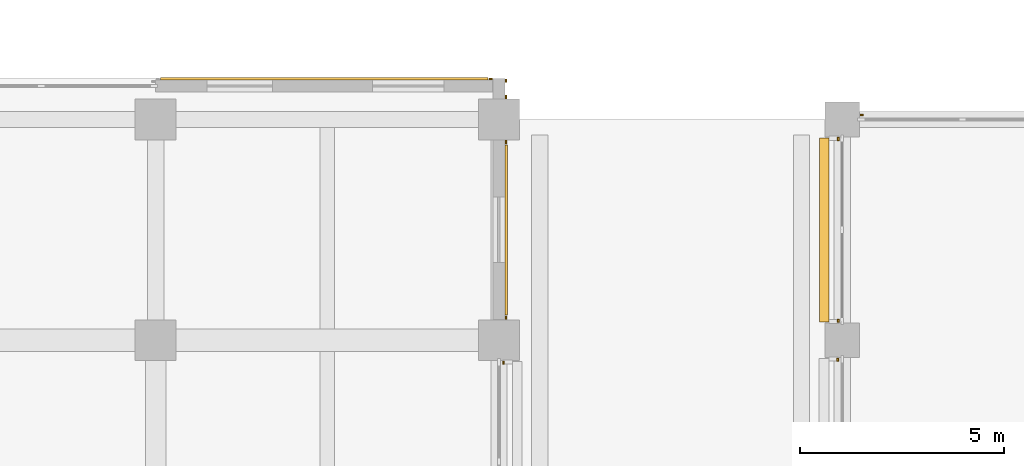
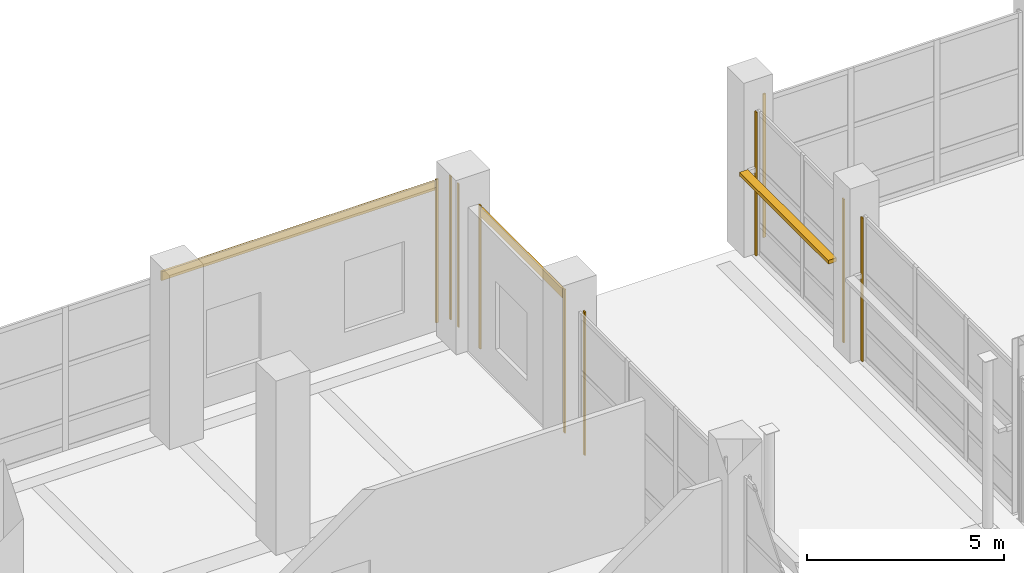
# One storey, part 122 of 140: 12 coverings, 1 shading device.
"""IFC4 building model written with IfcOpenShell, lengths in metres."""

from ifc_helpers import new_model, si_unit, direction, frame, origin, origin_2d, place, context, subcontext, project, spatial, rectangle, extrude, material, layer, layer_set, type_object, element, save


model = new_model("IFC4")

# Units and contexts
model_context = context("Model", 3, precision=1e-05, world=origin(), true_north=direction((0.0, 1.0)))
body_context = subcontext(model_context, "Body", "Model", "MODEL_VIEW")
ifc_project = project(units=[si_unit("LENGTHUNIT", "METRE"), si_unit("AREAUNIT", "SQUARE_METRE"), si_unit("VOLUMEUNIT", "CUBIC_METRE"), si_unit("PLANEANGLEUNIT", "RADIAN"), si_unit("MASSUNIT", "GRAM", prefix="KILO")], contexts=[model_context])

# Site, building, storey
site_placement = place(None, origin())
site = spatial("IfcSite", under=ifc_project, at=site_placement, CompositionType="ELEMENT")
building_placement = place(site_placement, origin())
building = spatial("IfcBuilding", under=site, at=building_placement, Name="Telukmera Botanical Conservatory", CompositionType="ELEMENT")
storey_placement = place(building_placement, origin())
storey = spatial("IfcBuildingStorey", under=building, at=storey_placement, Name="L00", CompositionType="ELEMENT", Elevation=0.0)

# Coverings
ifc_material_1 = material(Name="Granite-faced precast concrete C40/50", Category="masonry")
ifc_layer_1 = layer(ifc_material_1, 0.0400390625)
ifc_layer_set_1 = layer_set([ifc_layer_1], Name="Granite-faced precast concrete C40/50")
covering_type_1 = type_object("IfcCoveringType", Name="Granite Precast Column Pier Reveal Casing", PredefinedType="CLADDING", material=ifc_layer_set_1)
for number, where, z_axis, x_axis, name in (
    (1, (118.076904296875, 48.31005859375, 0.0), (0.0, 0.0, 1.0), (1.0, 0.0, 0.0), "Granite Pier Reveal V1:L00:N1 L"),
    (2, (117.489990234375, 42.322998046875, 0.0), (0.0, 0.0, 1.0), (0.0, 1.0, 0.0), "Granite Pier Reveal V1:L00:W3 R"),
    (3, (117.5, 43.277099609375, 0.0), (0.0, 0.0, 1.0), (0.0, 1.0, 0.0), "Granite Pier Reveal V1:L00:W4 L"),
    (4, (117.5, 47.722900390625, 0.0), (0.0, 0.0, 1.0), (0.0, 1.0, 0.0), "Granite Pier Reveal V1:L00:W4 R"),
    (5, (109.3701171875, 48.751953125, 0.0), (0.0, 0.0, 1.0), (0.0, 1.0, 0.0), "Granite Pier Reveal V4:L00:NEC L"),
    (6, (109.3701171875, 49.14990234375, 0.0), (0.0, 0.0, 1.0), (0.0, 1.0, 0.0), "Granite Pier Reveal V4:L00:NEC R"),
    (7, (108.998046875, 49.18994140625, 0.0), (0.0, 0.0, 1.0), (1.0, 0.0, 0.0), "Granite Pier Reveal V4:L00:N7 R"),
    (8, (109.31005859375, 42.248046875, 0.0), (0.0, 0.0, 1.0), (0.0, 1.0, 0.0), "Granite Pier Reveal V4:L00:E4 R"),
    (9, (109.3701171875, 43.35205078125, 0.0), (0.0, 0.0, 1.0), (0.0, 1.0, 0.0), "Granite Pier Reveal V4:L00:E5 L"),
    (10, (109.3701171875, 47.64794921875, 0.0), (0.0, 0.0, 1.0), (0.0, 1.0, 0.0), "Granite Pier Reveal V4:L00:E5 R"),
):
    element("IfcCovering", number, at=place(storey_placement, frame(where, z_axis=z_axis, x_axis=x_axis)), inside=storey, type_object=covering_type_1, Name=name, PredefinedType="CLADDING", context=body_context, shape_type="SweptSolid", body=[
        extrude(rectangle(XDim=0.080078125, YDim=0.0400390625, at=origin_2d()), origin(), (0.0, 0.0, 1.0), 4.449951171875),
    ])

# Shading device
ifc_material_2 = material(Name="Perforated terracotta-anodised aluminium 6063-T6", Category="masonry")
ifc_layer_2 = layer(ifc_material_2, 0.044921875)
ifc_layer_set_2 = layer_set([ifc_layer_2], Name="Perforated terracotta-anodised aluminium 6063-T6")
shading_device_type = type_object("IfcShadingDeviceType", Name="Perforated Terracotta Aluminium Monsoon Brise Soleil", PredefinedType="JALOUSIE", material=ifc_layer_set_2)
shading_device_placement = place(storey_placement, frame((117.159912109375, 45.5, 2.58984375), z_axis=(0.0, 0.0, 1.0), x_axis=(0.0, 1.0, 0.0)))
element("IfcShadingDevice", 11, at=shading_device_placement, inside=storey, type_object=shading_device_type, Name="Monsoon Shading BS01 V1:L00:W4", PredefinedType="JALOUSIE", context=body_context, shape_type="SweptSolid", body=[
    extrude(rectangle(XDim=4.506103515625, YDim=0.239990234375, at=origin_2d()), origin(), (0.0, 0.0, 1.0), 0.1201171875),
])

# Coverings
ifc_material_3 = material(Name="Terracotta-faced precast concrete C40/50", Category="masonry")
ifc_layer_3 = layer(ifc_material_3, 0.06005859375)
ifc_layer_set_3 = layer_set([ifc_layer_3], Name="Terracotta-faced precast concrete C40/50")
covering_type_2 = type_object("IfcCoveringType", Name="Polychrome Terracotta Facade Band Cladding", PredefinedType="CLADDING", material=ifc_layer_set_3)
covering_1_placement = place(storey_placement, frame((104.925048828125, 49.199951171875, 4.1298828125), z_axis=(0.0, 0.0, 1.0), x_axis=(1.0, 0.0, 0.0)))
element("IfcCovering", 12, at=covering_1_placement, inside=storey, type_object=covering_type_2, Name="Polychrome Terracotta Band V4:L00:N7", PredefinedType="CLADDING", context=body_context, shape_type="SweptSolid", body=[
    extrude(rectangle(XDim=8.006103515625, YDim=0.06005859375, at=origin_2d()), origin(), (0.0, 0.0, 1.0), 0.280029296875),
])
covering_2_placement = place(storey_placement, frame((109.3798828125, 45.5, 4.1298828125), z_axis=(0.0, 0.0, 1.0), x_axis=(0.0, 1.0, 0.0)))
element("IfcCovering", 13, at=covering_2_placement, inside=storey, type_object=covering_type_2, Name="Polychrome Terracotta Band V4:L00:E5", PredefinedType="CLADDING", context=body_context, shape_type="SweptSolid", body=[
    extrude(rectangle(XDim=4.156005859375, YDim=0.06005859375, at=origin_2d()), origin(), (0.0, 0.0, 1.0), 0.280029296875),
])

save(model, "model.ifc")
